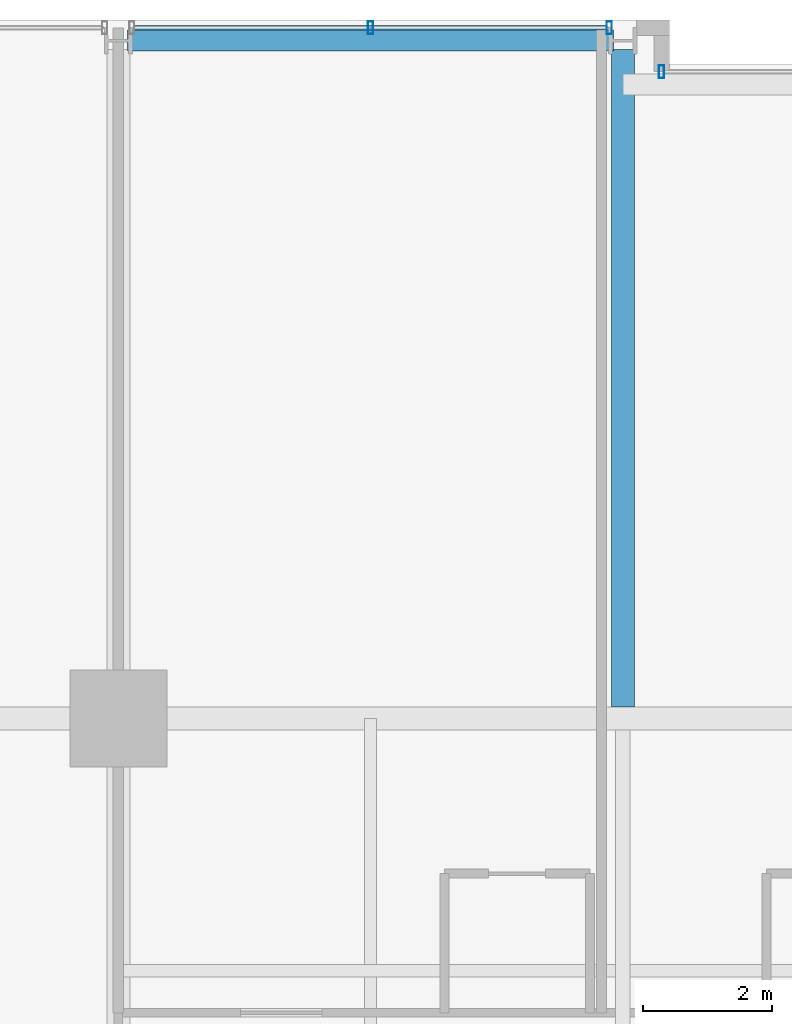
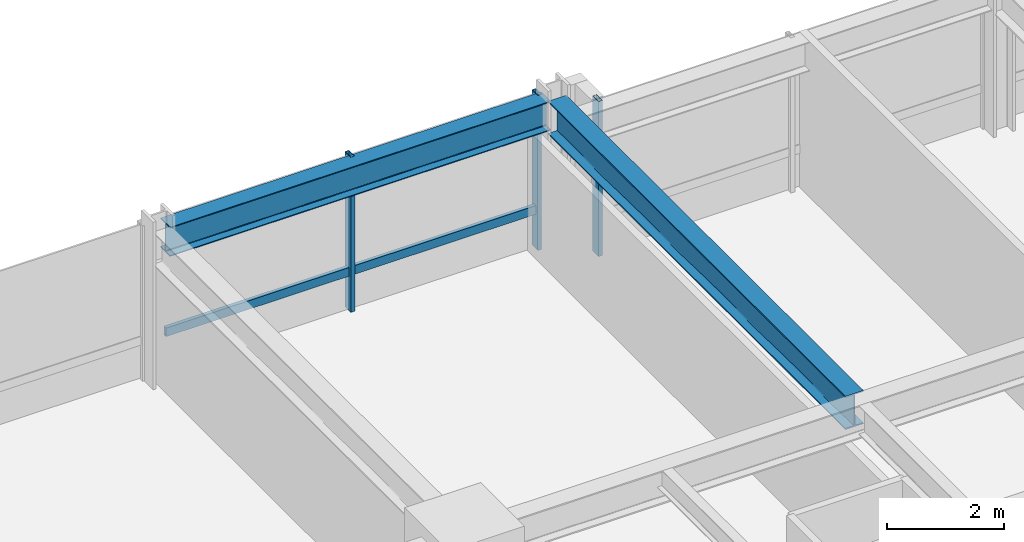
# One storey, part 21 of 35: 4 members, 2 beams, 2 elements without a shape of their own.
"""IFC4 building model written with IfcOpenShell, lengths in metres."""

from ifc_helpers import new_model, si_unit, direction, frame, origin, origin_2d, place, context, subcontext, project, spatial, hollow_rectangle, i_section, extrude, material, layer, layer_set, material_profile, profile_set, type_object, element, aggregate, save


model = new_model("IFC4")

# Units and contexts
model_context = context("Model", 3, precision=1e-05, world=origin(), true_north=direction((0.0, 1.0)))
body_context = subcontext(model_context, "Body", "Model", "MODEL_VIEW")
ifc_project = project(units=[si_unit("LENGTHUNIT", "METRE"), si_unit("AREAUNIT", "SQUARE_METRE"), si_unit("VOLUMEUNIT", "CUBIC_METRE"), si_unit("PLANEANGLEUNIT", "RADIAN"), si_unit("MASSUNIT", "GRAM", prefix="KILO")], contexts=[model_context])

# Site, building, storey
site_placement = place(None, origin())
site = spatial("IfcSite", under=ifc_project, at=site_placement, CompositionType="ELEMENT")
building_placement = place(site_placement, origin())
building = spatial("IfcBuilding", under=site, at=building_placement, Name="Drelvath Grand Hotel", CompositionType="ELEMENT")
storey_placement = place(building_placement, frame((0.0, 0.0, 130.300048828125)))
storey = spatial("IfcBuildingStorey", under=building, at=storey_placement, Name="L33", CompositionType="ELEMENT", Elevation=130.300048828125)

# Curtain wall, members
ifc_material_1 = material(Name="Champagne Bronze Anodised Aluminium Frame", Category="aluminium")
ifc_layer = layer(ifc_material_1, 0.199951171875)
ifc_layer_set = layer_set([ifc_layer], Name="Champagne Bronze Anodised Aluminium Frame")
curtain_wall_type = type_object("IfcCurtainWallType", Name="Stick Curtain Wall CW-03 Champagne Bronze Mid-Rise", PredefinedType="NOTDEFINED", material=ifc_layer_set)
curtain_wall_1_placement = place(storey_placement, origin())
curtain_wall_1 = element("IfcCurtainWall", 1, at=curtain_wall_1_placement, inside=storey, type_object=curtain_wall_type, Name="L33 CW-03 Curtain Wall CW03-L33-NW2", PredefinedType="NOTDEFINED")
ifc_material_profile_1 = material_profile(ifc_material_1, hollow_rectangle(XDim=0.074951171875, YDim=0.179931640625, WallThickness=0.0048828125, at=origin_2d()), Name="HSS180X75X5")
ifc_profile_set_1 = profile_set([ifc_material_profile_1], Name="Champagne Bronze Anodised Aluminium Frame")
member_type_1 = type_object("IfcMemberType", Name="Curtain Wall Horizontal Transom CW-03 HSS180X75X5", PredefinedType="USERDEFINED", material=ifc_profile_set_1)
member_1_placement = place(storey_placement, frame((-15.95068359375, 53.8798828125, 0.81005859375), z_axis=(1.0, 0.0, 0.0), x_axis=(0.0, 1.0, 0.0)))
member_1 = element("IfcMember", 2, at=member_1_placement, type_object=member_type_1, Name="CW03-L33-NW2 Sill Transom", ObjectType="TRANSOM", PredefinedType="USERDEFINED", context=body_context, shape_type="SweptSolid", body=[
    extrude(hollow_rectangle(XDim=0.074951171875, YDim=0.179931640625, WallThickness=0.0048828125, at=origin_2d()), origin(), (0.0, 0.0, 1.0), 7.30126953125),
])
ifc_material_profile_2 = material_profile(ifc_material_1, hollow_rectangle(XDim=0.080078125, YDim=0.199951171875, WallThickness=0.0048828125, at=origin_2d()), Name="HSS200X80X5")
ifc_profile_set_2 = profile_set([ifc_material_profile_2], Name="Champagne Bronze Anodised Aluminium Frame")
member_type_2 = type_object("IfcMemberType", Name="Curtain Wall Vertical Mullion CW-03 HSS200X80X5", PredefinedType="MULLION", material=ifc_profile_set_2)
member_2_placement = place(storey_placement, frame((-12.300048828125, 53.8798828125, 0.0), z_axis=(0.0, 0.0, 1.0), x_axis=(1.0, 0.0, 0.0)))
member_2 = element("IfcMember", 3, at=member_2_placement, type_object=member_type_2, Name="CW03-L33-NW2 Mullion 2", PredefinedType="MULLION", context=body_context, shape_type="SweptSolid", body=[
    extrude(hollow_rectangle(XDim=0.080078125, YDim=0.199951171875, WallThickness=0.0048828125, at=origin_2d()), origin(), (0.0, 0.0, 1.0), 3.239990234375),
])
member_3_placement = place(storey_placement, frame((-8.609375, 53.8798828125, 0.0), z_axis=(0.0, 0.0, 1.0), x_axis=(1.0, 0.0, 0.0)))
member_3 = element("IfcMember", 4, at=member_3_placement, type_object=member_type_2, Name="CW03-L33-NW2 Mullion 3", PredefinedType="MULLION", context=body_context, shape_type="SweptSolid", body=[
    extrude(hollow_rectangle(XDim=0.080078125, YDim=0.199951171875, WallThickness=0.0048828125, at=origin_2d()), origin(), (0.0, 0.0, 1.0), 3.239990234375),
])
aggregate(curtain_wall_1, [member_2, member_3, member_1])

# Curtain wall, member
curtain_wall_2_placement = place(storey_placement, origin())
curtain_wall_2 = element("IfcCurtainWall", 5, at=curtain_wall_2_placement, inside=storey, type_object=curtain_wall_type, Name="L33 CW-03 Curtain Wall CW03-L33-NM1", PredefinedType="NOTDEFINED")
member_4_placement = place(storey_placement, frame((-7.800048828125, 53.199951171875, 0.0), z_axis=(0.0, 0.0, 1.0), x_axis=(1.0, 0.0, 0.0)))
member_4 = element("IfcMember", 6, at=member_4_placement, type_object=member_type_2, Name="CW03-L33-NM1 Mullion 1", PredefinedType="MULLION", context=body_context, shape_type="SweptSolid", body=[
    extrude(hollow_rectangle(XDim=0.080078125, YDim=0.199951171875, WallThickness=0.0048828125, at=origin_2d()), origin(), (0.0, 0.0, 1.0), 3.239990234375),
])
aggregate(curtain_wall_2, [member_4])

# Beams
ifc_material_2 = material(Name="Steel ASTM A992 Gr 50", Category="steel")
ifc_material_profile_3 = material_profile(ifc_material_2, i_section(OverallWidth=0.323974609375, OverallDepth=0.611083984375, WebThickness=0.0126953125, FlangeThickness=0.01904296875, FilletRadius=0.02197265625, at=origin_2d()), Name="W24X104")
ifc_profile_set_3 = profile_set([ifc_material_profile_3], Name="Steel ASTM A992 Gr 50")
beam_type_1 = type_object("IfcBeamType", Name="Perimeter Spandrel Beam W24X104", PredefinedType="SPANDREL", material=ifc_profile_set_3)
beam_1_placement = place(storey_placement, frame((-16.06005859375, 53.679931640625, 2.934326171875), z_axis=(1.0, 0.0, 0.0), x_axis=(0.0, 1.0, 0.0)))
element("IfcBeam", 7, at=beam_1_placement, inside=storey, type_object=beam_type_1, Name="L33 Spandrel North W", PredefinedType="SPANDREL", context=body_context, shape_type="SweptSolid", body=[
    extrude(i_section(OverallWidth=0.323974609375, OverallDepth=0.611083984375, WebThickness=0.0126953125, FlangeThickness=0.01904296875, FilletRadius=0.02197265625, at=origin_2d()), origin(), (0.0, 0.0, 1.0), 7.52001953125),
])
ifc_material_profile_4 = material_profile(ifc_material_2, i_section(OverallWidth=0.354736328125, OverallDepth=0.695556640625, WebThickness=0.015380859375, FlangeThickness=0.025146484375, FilletRadius=0.02392578125, at=origin_2d()), Name="W27X146")
ifc_profile_set_4 = profile_set([ifc_material_profile_4], Name="Steel ASTM A992 Gr 50")
beam_type_2 = type_object("IfcBeamType", Name="Primary Floor Girder W27X146", PredefinedType="BEAM", material=ifc_profile_set_4)
beam_2_placement = place(storey_placement, frame((-8.39990234375, 43.37744140625, 2.892333984375), z_axis=(0.0, 1.0, 0.0), x_axis=(-1.0, 0.0, 0.0)))
element("IfcBeam", 8, at=beam_2_placement, inside=storey, type_object=beam_type_2, Name="L33 North Wing Girder 4", PredefinedType="BEAM", context=body_context, shape_type="SweptSolid", body=[
    extrude(i_section(OverallWidth=0.354736328125, OverallDepth=0.695556640625, WebThickness=0.015380859375, FlangeThickness=0.025146484375, FilletRadius=0.02392578125, at=origin_2d()), origin(), (0.0, 0.0, 1.0), 10.16259765625),
])

save(model, "model.ifc")
